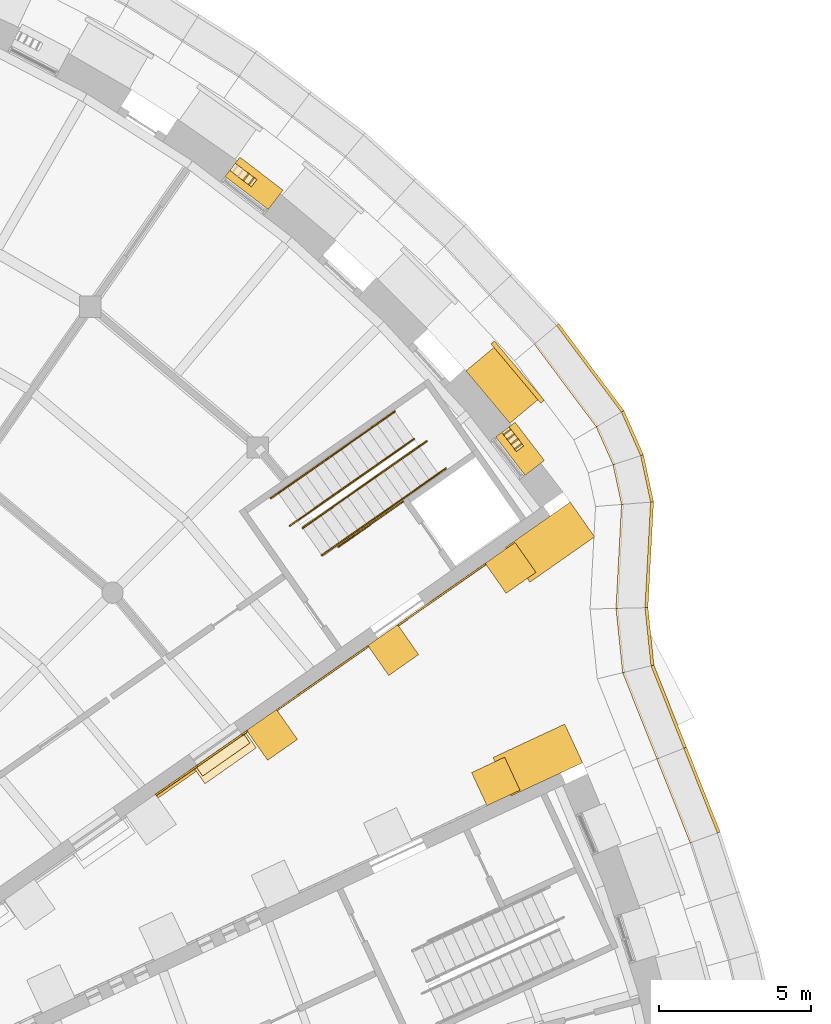
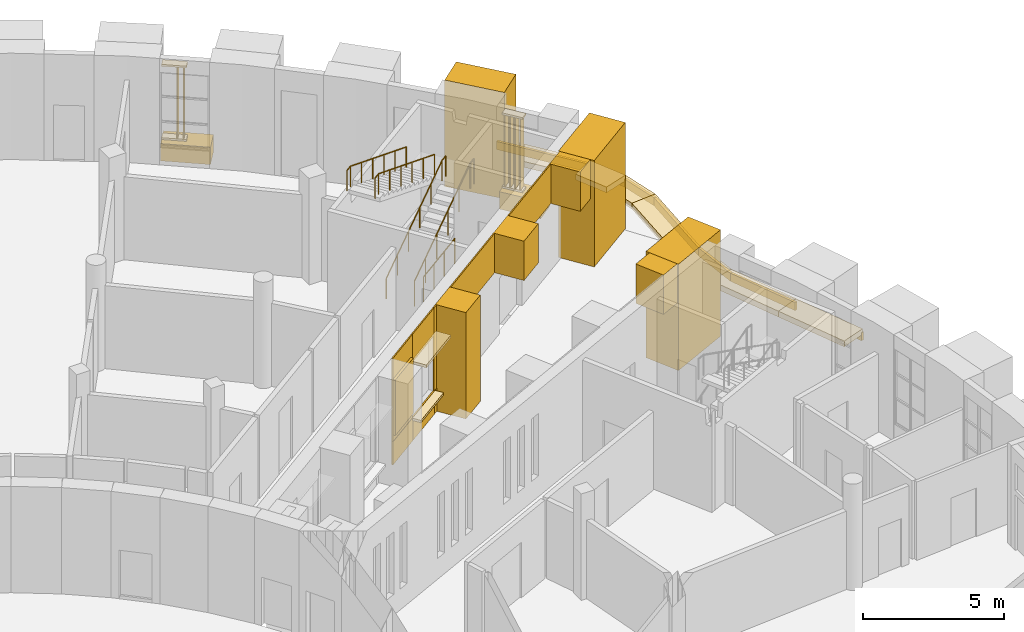
# One storey, part 82 of 85: 45 coverings, 5 railings.
"""IFC4 building model written with IfcOpenShell, lengths in metres."""

from ifc_helpers import new_model, si_unit, direction, frame, origin, origin_2d, place, context, subcontext, project, spatial, polyline, rectangle, circle, outline, extrude, material, layer, layer_set, type_object, element, save


model = new_model("IFC4")

# Units and contexts
model_context = context("Model", 3, precision=1e-05, world=origin(), true_north=direction((0.0, 1.0)))
body_context = subcontext(model_context, "Body", "Model", "MODEL_VIEW")
ifc_project = project(units=[si_unit("LENGTHUNIT", "METRE"), si_unit("AREAUNIT", "SQUARE_METRE"), si_unit("VOLUMEUNIT", "CUBIC_METRE"), si_unit("PLANEANGLEUNIT", "RADIAN"), si_unit("MASSUNIT", "GRAM", prefix="KILO")], contexts=[model_context])

# Site, building, storey
site_placement = place(None, origin())
site = spatial("IfcSite", under=ifc_project, at=site_placement, CompositionType="ELEMENT")
building_placement = place(site_placement, origin())
building = spatial("IfcBuilding", under=site, at=building_placement, Name="Volute Hill Aquarium", CompositionType="ELEMENT")
storey_placement = place(building_placement, origin())
storey = spatial("IfcBuildingStorey", under=building, at=storey_placement, Name="L01", CompositionType="ELEMENT", Elevation=0.0)

# Coverings
ifc_material_1 = material(Name="Blue limestone", Category="masonry")
covering_type_1 = type_object("IfcCoveringType", Name="Bluestone plinth block 275x750", PredefinedType="CLADDING", material=ifc_material_1)
covering_1_placement = place(storey_placement, frame((37.825439453125, 29.150634765625, 0.0), z_axis=(0.0, 0.0, 1.0), x_axis=(-0.608752522404, 0.79336017449, 0.0)))
element("IfcCovering", 1, at=covering_1_placement, inside=storey, type_object=covering_type_1, Name="Bluestone plinth BPN S5 L01 1", PredefinedType="CLADDING", context=body_context, shape_type="SweptSolid", body=[
    extrude(rectangle(XDim=1.58544921875, YDim=0.800048828125, at=origin_2d()), origin(), (0.0, 0.0, 1.0), 0.75),
])
covering_2_placement = place(storey_placement, frame((29.0712890625, 37.88623046875, 0.0), z_axis=(0.0, 0.0, 1.0), x_axis=(-0.79336017449, 0.608752522404, 0.0)))
element("IfcCovering", 2, at=covering_2_placement, inside=storey, type_object=covering_type_1, Name="Bluestone plinth BPN S5 L01 4", PredefinedType="CLADDING", context=body_context, shape_type="SweptSolid", body=[
    extrude(rectangle(XDim=1.78564453125, YDim=0.800048828125, at=origin_2d()), origin(), (0.0, 0.0, 1.0), 0.75),
])
ifc_material_2 = material(Name="Blue limestone", Category="masonry")
ifc_layer_1 = layer(ifc_material_2, 0.14990234375)
ifc_layer_set_1 = layer_set([ifc_layer_1], Name="Bluestone plinth plate 150x750")
covering_type_2 = type_object("IfcCoveringType", Name="Bluestone plinth plate 150x750", PredefinedType="CLADDING", material=ifc_layer_set_1)
covering_3_placement = place(storey_placement, frame((37.745361328125, 31.672119140625, 0.0), z_axis=(0.0, 0.0, 1.0), x_axis=(-0.642787609687, 0.766044443119, 0.0)))
element("IfcCovering", 3, at=covering_3_placement, inside=storey, type_object=covering_type_2, Name="Bluestone plinth BP S5 L01 1", PredefinedType="CLADDING", context=body_context, shape_type="SweptSolid", body=[
    extrude(rectangle(XDim=2.548583984375, YDim=0.14990234375, at=origin_2d()), origin(), (0.0, 0.0, 1.0), 0.75),
])
ifc_material_3 = material(Name="Aluminium", Category="aluminium")
ifc_layer_2 = layer(ifc_material_3, 0.10009765625)
ifc_layer_set_2 = layer_set([ifc_layer_2], Name="End wall plant louvre panel 100")
covering_type_3 = type_object("IfcCoveringType", Name="End wall plant louvre panel 100", PredefinedType="CLADDING", material=ifc_layer_set_2)
covering_4_placement = place(storey_placement, frame((26.503662109375, 18.130859375, 1.300048828125), z_axis=(0.0, 0.0, 1.0), x_axis=(0.819152037682, 0.573576445787, 0.0)))
element("IfcCovering", 4, at=covering_4_placement, inside=storey, type_object=covering_type_3, Name="End wall plant louvre EWV S5A L01 3", PredefinedType="CLADDING", context=body_context, shape_type="SweptSolid", body=[
    extrude(rectangle(XDim=1.51611328125, YDim=0.10009765625, at=origin_2d()), origin(), (0.0, 0.0, 1.0), 2.39990234375),
])
ifc_material_4 = material(Name="Blue limestone", Category="masonry")
ifc_layer_3 = layer(ifc_material_4, 0.06005859375)
ifc_layer_set_3 = layer_set([ifc_layer_3], Name="End wall plinth blue limestone 60")
covering_type_4 = type_object("IfcCoveringType", Name="End wall plinth blue limestone 60", PredefinedType="CLADDING", material=ifc_layer_set_3)
covering_5_placement = place(storey_placement, frame((25.859619140625, 17.728759765625, 0.0), z_axis=(0.573491845309, -0.819211269066, 0.0), x_axis=(0.819211269066, 0.573491845309, 0.0)))
element("IfcCovering", 5, at=covering_5_placement, inside=storey, type_object=covering_type_4, Name="End wall plinth EWL S5A L01 3", PredefinedType="CLADDING", context=body_context, shape_type="SweptSolid", body=[
    extrude(outline(polyline([(0.0, 0.0), (1.6662249238001023, 0.0), (1.6662249238001023, 1.0), (0.0, 1.0), (0.0, 0.0)])), origin(), (0.0, 0.0, -1.0), 0.06005859375),
])
covering_6_placement = place(storey_placement, frame((27.224609375, 18.684326171875, 0.0), z_axis=(0.573617089972, -0.819123576813, 0.0), x_axis=(0.819123576813, 0.573617089972, 0.0)))
element("IfcCovering", 6, at=covering_6_placement, inside=storey, type_object=covering_type_4, Name="End wall plinth EWL S5A L01 3", PredefinedType="CLADDING", context=body_context, shape_type="SweptSolid", body=[
    extrude(outline(polyline([(0.0, 0.0), (1.799930164518913, 0.0), (1.799930164518913, 1.0), (0.0, 1.0), (0.0, 0.0)])), origin(), (0.0, 0.0, -1.0), 0.06005859375),
])
covering_7_placement = place(storey_placement, frame((28.698974609375, 19.716796875, 0.0), z_axis=(0.573708088123, -0.819059844958, 0.0), x_axis=(0.819059844958, 0.573708088123, 0.0)))
element("IfcCovering", 7, at=covering_7_placement, inside=storey, type_object=covering_type_4, Name="End wall plinth EWL S5A L01 3", PredefinedType="CLADDING", context=body_context, shape_type="SweptSolid", body=[
    extrude(outline(polyline([(0.0, 0.0), (0.20000780209581936, 0.0), (0.20000780209581936, 1.0), (0.0, 1.0), (0.0, 0.0)])), origin(), (0.0, 0.0, -1.0), 0.06005859375),
])
ifc_material_5 = material(Name="Precast concrete C40/50", Category="concrete")
covering_type_5 = type_object("IfcCoveringType", Name="End wall precast fin C40/50 1200x1200", PredefinedType="CLADDING", material=ifc_material_5)
covering_8_placement = place(storey_placement, frame((37.02587890625, 18.203369140625, 2.89990234375), z_axis=(0.0, 0.0, 1.0), x_axis=(0.906306960471, 0.422620034311, 0.0)))
element("IfcCovering", 8, at=covering_8_placement, inside=storey, type_object=covering_type_5, Name="End wall fin EWF S4B L01 6", PredefinedType="CLADDING", context=body_context, shape_type="SweptSolid", body=[
    extrude(rectangle(XDim=1.199951171875, YDim=1.199951171875, at=origin_2d()), origin(), (0.0, 0.0, 1.0), 1.699951171875),
])
covering_9_placement = place(storey_placement, frame((29.6640625, 19.7333984375, 0.0), z_axis=(0.0, 0.0, 1.0), x_axis=(0.819152037682, 0.573576445787, 0.0)))
element("IfcCovering", 9, at=covering_9_placement, inside=storey, type_object=covering_type_5, Name="End wall fin EWF S5A L01 4", PredefinedType="CLADDING", context=body_context, shape_type="SweptSolid", body=[
    extrude(rectangle(XDim=1.199951171875, YDim=1.199951171875, at=origin_2d()), origin(), (0.0, 0.0, 1.0), 4.60009765625),
])
for number, where, z_axis, x_axis, name in (
    (10, (33.650146484375, 22.5244140625, 2.89990234375), (0.0, 0.0, 1.0), (0.819152037682, 0.573576445787, 0.0), "End wall fin EWF S5A L01 5"),
    (11, (37.51318359375, 25.229248046875, 2.89990234375), (0.0, 0.0, 1.0), (0.819152037682, 0.573576445787, 0.0), "End wall fin EWF S5A L01 6"),
):
    element("IfcCovering", number, at=place(storey_placement, frame(where, z_axis=z_axis, x_axis=x_axis)), inside=storey, type_object=covering_type_5, Name=name, PredefinedType="CLADDING", context=body_context, shape_type="SweptSolid", body=[
        extrude(rectangle(XDim=1.199951171875, YDim=1.199951171875, at=origin_2d()), origin(), (0.0, 0.0, 1.0), 1.699951171875),
    ])
ifc_material_6 = material(Name="Precast concrete C40/50", Category="concrete")
ifc_layer_4 = layer(ifc_material_6, 0.050048828125)
ifc_layer_set_4 = layer_set([ifc_layer_4], Name="End wall precast infill panel C40/50 50")
covering_type_6 = type_object("IfcCoveringType", Name="End wall precast infill panel C40/50 50", PredefinedType="CLADDING", material=ifc_layer_set_4)
covering_10_placement = place(storey_placement, frame((25.854248046875, 17.737060546875, 1.0), z_axis=(0.573560689761, -0.819163069945, 0.0), x_axis=(0.819163069945, 0.573560689761, 0.0)))
element("IfcCovering", 12, at=covering_10_placement, inside=storey, type_object=covering_type_6, Name="End wall panel EWP S5A L01 3", PredefinedType="CLADDING", context=body_context, shape_type="SweptSolid", body=[
    extrude(outline(polyline([(0.0, 0.0), (1.6660249269321943, 0.0), (1.6660249269321943, 3.6000976562499996), (0.0, 3.6000976562499996), (0.0, 0.0)])), origin(), (0.0, 0.0, -1.0), 0.050048828125),
])
covering_11_placement = place(storey_placement, frame((27.218994140625, 18.692626953125, 3.39990234375), z_axis=(0.573553363558, -0.819168199548, 0.0), x_axis=(0.819168199548, 0.573553363558, 0.0)))
element("IfcCovering", 13, at=covering_11_placement, inside=storey, type_object=covering_type_6, Name="End wall panel EWP S5A L01 3", PredefinedType="CLADDING", context=body_context, shape_type="SweptSolid", body=[
    extrude(outline(polyline([(0.0, 0.0), (1.800130151308322, 0.0), (1.800130151308322, 1.2001953125), (0.0, 1.2001953125), (0.0, 0.0)])), origin(), (0.0, 0.0, -1.0), 0.050048828125),
])
covering_12_placement = place(storey_placement, frame((28.693603515625, 19.72509765625, 1.0), z_axis=(0.573462344363, -0.819231920519, 0.0), x_axis=(0.819231920519, 0.573462344363, 0.0)))
element("IfcCovering", 14, at=covering_12_placement, inside=storey, type_object=covering_type_6, Name="End wall panel EWP S5A L01 3", PredefinedType="CLADDING", context=body_context, shape_type="SweptSolid", body=[
    extrude(outline(polyline([(0.0, 0.0), (0.19966777984720657, 0.0), (0.19966777984720657, 3.60009765625), (0.0, 3.60009765625), (0.0, 0.0)])), origin(), (0.0, 0.0, -1.0), 0.050048828125),
])
covering_13_placement = place(storey_placement, frame((29.840087890625, 20.528076171875, 2.89990234375), z_axis=(0.573520446377, -0.819191246039, 0.0), x_axis=(0.819191246039, 0.573520446377, 0.0)))
element("IfcCovering", 15, at=covering_13_placement, inside=storey, type_object=covering_type_6, Name="End wall panel EWP S5A L01 4", PredefinedType="CLADDING", context=body_context, shape_type="SweptSolid", body=[
    extrude(outline(polyline([(0.0, 0.0), (3.6660228519846063, 0.0), (3.6660228519846063, 1.7001953125), (0.0, 1.7001953125), (0.0, 0.0)])), origin(), (0.0, 0.0, -1.0), 0.050048828125),
])
covering_14_placement = place(storey_placement, frame((33.826171875, 23.319091796875, 2.89990234375), z_axis=(0.573560206306, -0.819163408449, 0.0), x_axis=(0.819163408449, 0.573560206306, 0.0)))
element("IfcCovering", 16, at=covering_14_placement, inside=storey, type_object=covering_type_6, Name="End wall panel EWP S5A L01 5", PredefinedType="CLADDING", context=body_context, shape_type="SweptSolid", body=[
    extrude(outline(polyline([(0.0, 0.0), (3.5159370199129762, 0.0), (3.5159370199129762, 1.7001953125), (0.0, 1.7001953125), (0.0, 0.0)])), origin(), (0.0, 0.0, -1.0), 0.050048828125),
])
ifc_material_7 = material(Name="Precast concrete C40/50", Category="concrete")
ifc_layer_5 = layer(ifc_material_7, 0.1201171875)
ifc_layer_set_5 = layer_set([ifc_layer_5], Name="End wall window head blade precast C40/50 600x120")
covering_type_7 = type_object("IfcCoveringType", Name="End wall window head blade precast C40/50 600x120", PredefinedType="CLADDING", material=ifc_layer_set_5)
covering_15_placement = place(storey_placement, frame((28.128173828125, 18.963134765625, 3.39990234375), z_axis=(0.0, 0.0, 1.0), x_axis=(0.819152037682, 0.573576445787, 0.0)))
element("IfcCovering", 17, at=covering_15_placement, inside=storey, type_object=covering_type_7, Name="End wall window head blade EWB S5A L01 3.1", PredefinedType="CLADDING", context=body_context, shape_type="SweptSolid", body=[
    extrude(rectangle(XDim=2.06005859375, YDim=0.60009765625, at=origin_2d()), origin(), (0.0, 0.0, 1.0), 0.1201171875),
])
ifc_material_8 = material(Name="Precast concrete C40/50", Category="concrete")
ifc_layer_6 = layer(ifc_material_8, 0.10009765625)
ifc_layer_set_6 = layer_set([ifc_layer_6], Name="End wall window sill precast C40/50 350x100")
covering_type_8 = type_object("IfcCoveringType", Name="End wall window sill precast C40/50 350x100", PredefinedType="CLADDING", material=ifc_layer_set_6)
covering_16_placement = place(storey_placement, frame((28.056640625, 19.0654296875, 0.89990234375), z_axis=(0.0, 0.0, 1.0), x_axis=(0.819152037682, 0.573576445787, 0.0)))
element("IfcCovering", 18, at=covering_16_placement, inside=storey, type_object=covering_type_8, Name="End wall window sill EWS S5A L01 3.1", PredefinedType="CLADDING", context=body_context, shape_type="SweptSolid", body=[
    extrude(rectangle(XDim=1.89990234375, YDim=0.35009765625, at=origin_2d()), origin(), (0.0, 0.0, 1.0), 0.10009765625),
])

# Railings
ifc_material_9 = material(Name="Stainless steel 1.4301", Category="steel")
railing_type_1 = type_object("IfcRailingType", Name="Guard 1100 stainless", PredefinedType="GUARDRAIL", material=ifc_material_9)
railing_1_placement = place(storey_placement, frame((33.970458984375, 27.412109375, 0.0)))
element("IfcRailing", 19, at=railing_1_placement, inside=storey, type_object=railing_type_1, Name="gd/S5-A/L01/edge", PredefinedType="GUARDRAIL", context=body_context, shape_type="SweptSolid", body=[
    extrude(circle(Radius=0.02392578125, at=origin_2d()), frame((0.0, 0.0, 1.076171875), z_axis=(-0.819148089014, -0.573582085028, 0.0), x_axis=(0.573582085028, -0.819148089014, 0.0)), (0.0, 0.0, 1.0), 2.599853515625),
    extrude(circle(Radius=0.02099609375, at=origin_2d()), origin(), (0.0, 0.0, 1.0), 1.052001953125),
    extrude(circle(Radius=0.02099609375, at=origin_2d()), frame((-0.7099609375, -0.4970703125, 0.0)), (0.0, 0.0, 1.0), 1.052001953125),
    extrude(circle(Radius=0.02099609375, at=origin_2d()), frame((-1.419677734375, -0.994140625, 0.0)), (0.0, 0.0, 1.0), 1.052001953125),
    extrude(circle(Radius=0.02099609375, at=origin_2d()), frame((-2.129638671875, -1.4912109375, 0.0)), (0.0, 0.0, 1.0), 1.052001953125),
])
railing_2_placement = place(storey_placement, frame((31.303466796875, 25.64208984375, 0.164306640625)))
element("IfcRailing", 20, at=railing_2_placement, inside=storey, type_object=railing_type_1, Name="gd/S5-A/L01/1", PredefinedType="GUARDRAIL", context=body_context, shape_type="SweptSolid", body=[
    extrude(circle(Radius=0.02392578125, at=origin_2d()), frame((0.0, 0.0, 1.076171875), z_axis=(0.745190384026, 0.521851577044, 0.415165296106), x_axis=(-0.573623384376, 0.819119168923, 0.0)), (0.0, 0.0, 1.0), 5.144287109375),
    extrude(circle(Radius=0.02392578125, at=origin_2d()), frame((3.83349609375, 2.6845703125, 3.2119140625), z_axis=(0.819575896246, 0.572970636502, 0.0), x_axis=(-0.572970636502, 0.819575896246, 0.0)), (0.0, 0.0, 1.0), 0.300048828125),
    extrude(circle(Radius=0.02099609375, at=origin_2d()), origin(), (0.0, 0.0, 1.0), 1.052001953125),
    extrude(circle(Radius=0.02099609375, at=origin_2d()), frame((0.7666015625, 0.536865234375, 0.42724609375)), (0.0, 0.0, 1.0), 1.052001953125),
    extrude(circle(Radius=0.02099609375, at=origin_2d()), frame((1.533447265625, 1.07373046875, 0.854248046875)), (0.0, 0.0, 1.0), 1.052001953125),
    extrude(circle(Radius=0.02099609375, at=origin_2d()), frame((2.300048828125, 1.61083984375, 1.281494140625)), (0.0, 0.0, 1.0), 1.052001953125),
    extrude(circle(Radius=0.02099609375, at=origin_2d()), frame((3.06689453125, 2.147705078125, 1.70849609375)), (0.0, 0.0, 1.0), 1.052001953125),
    extrude(circle(Radius=0.02099609375, at=origin_2d()), frame((3.83349609375, 2.6845703125, 2.1357421875)), (0.0, 0.0, 1.0), 1.052001953125),
    extrude(circle(Radius=0.02099609375, at=origin_2d()), frame((4.079345703125, 2.8564453125, 2.1357421875)), (0.0, 0.0, 1.0), 1.052001953125),
])
ifc_material_10 = material(Name="Stainless steel 1.4301", Category="steel")
railing_type_2 = type_object("IfcRailingType", Name="Handrail 48 stainless", PredefinedType="HANDRAIL", material=ifc_material_10)
railing_3_placement = place(storey_placement, frame((30.67236328125, 26.543212890625, 0.164306640625)))
element("IfcRailing", 21, at=railing_3_placement, inside=storey, type_object=railing_type_2, Name="hr/S5-A/L01/2", PredefinedType="HANDRAIL", context=body_context, shape_type="SweptSolid", body=[
    extrude(circle(Radius=0.02392578125, at=origin_2d()), frame((0.0, 0.0, 0.8759765625), z_axis=(0.745229941797, 0.521798586898, 0.415160894787), x_axis=(-0.57356387087, 0.81916084259, 0.0)), (0.0, 0.0, 1.0), 5.144287109375),
    extrude(circle(Radius=0.02392578125, at=origin_2d()), frame((3.833740234375, 2.684326171875, 3.01171875), z_axis=(0.818925855405, 0.573899332068, 0.0), x_axis=(-0.573899332068, 0.818925855405, 0.0)), (0.0, 0.0, 1.0), 0.2998046875),
    extrude(circle(Radius=0.02099609375, at=origin_2d()), origin(), (0.0, 0.0, 1.0), 0.851806640625),
    extrude(circle(Radius=0.02099609375, at=origin_2d()), frame((0.766845703125, 0.536865234375, 0.42724609375)), (0.0, 0.0, 1.0), 0.851806640625),
    extrude(circle(Radius=0.02099609375, at=origin_2d()), frame((1.533447265625, 1.07373046875, 0.854248046875)), (0.0, 0.0, 1.0), 0.851806640625),
    extrude(circle(Radius=0.02099609375, at=origin_2d()), frame((2.30029296875, 1.610595703125, 1.281494140625)), (0.0, 0.0, 1.0), 0.851806640625),
    extrude(circle(Radius=0.02099609375, at=origin_2d()), frame((3.06689453125, 2.1474609375, 1.70849609375)), (0.0, 0.0, 1.0), 0.851806640625),
    extrude(circle(Radius=0.02099609375, at=origin_2d()), frame((3.833740234375, 2.684326171875, 2.1357421875)), (0.0, 0.0, 1.0), 0.851806640625),
    extrude(circle(Radius=0.02099609375, at=origin_2d()), frame((4.079345703125, 2.8564453125, 2.1357421875)), (0.0, 0.0, 1.0), 0.851806640625),
])
railing_4_placement = place(storey_placement, frame((34.333984375, 29.473388671875, 2.46435546875)))
element("IfcRailing", 22, at=railing_4_placement, inside=storey, type_object=railing_type_2, Name="hr/S5-A/L01/3", PredefinedType="HANDRAIL", context=body_context, shape_type="SweptSolid", body=[
    extrude(circle(Radius=0.02392578125, at=origin_2d()), frame((0.0, 0.0, 0.8759765625), z_axis=(-0.745208839402, -0.521817041729, 0.415175578085), x_axis=(0.573588381334, -0.819143680192, 0.0)), (0.0, 0.0, 1.0), 5.144287109375),
    extrude(circle(Radius=0.02392578125, at=origin_2d()), frame((-3.83349609375, -2.684326171875, 3.01171875), z_axis=(-0.819193700616, -0.573516940352, 0.0), x_axis=(0.573516940352, -0.819193700616, 0.0)), (0.0, 0.0, 1.0), 0.300048828125),
    extrude(circle(Radius=0.02099609375, at=origin_2d()), origin(), (0.0, 0.0, 1.0), 0.851806640625),
    extrude(circle(Radius=0.02099609375, at=origin_2d()), frame((-0.7666015625, -0.536865234375, 0.42724609375)), (0.0, 0.0, 1.0), 0.851806640625),
    extrude(circle(Radius=0.02099609375, at=origin_2d()), frame((-1.533447265625, -1.07373046875, 0.854248046875)), (0.0, 0.0, 1.0), 0.851806640625),
    extrude(circle(Radius=0.02099609375, at=origin_2d()), frame((-2.300048828125, -1.610595703125, 1.281494140625)), (0.0, 0.0, 1.0), 0.851806640625),
    extrude(circle(Radius=0.02099609375, at=origin_2d()), frame((-3.06689453125, -2.1474609375, 1.70849609375)), (0.0, 0.0, 1.0), 0.851806640625),
    extrude(circle(Radius=0.02099609375, at=origin_2d()), frame((-3.83349609375, -2.684326171875, 2.1357421875)), (0.0, 0.0, 1.0), 0.851806640625),
    extrude(circle(Radius=0.02099609375, at=origin_2d()), frame((-4.079345703125, -2.8564453125, 2.1357421875)), (0.0, 0.0, 1.0), 0.851806640625),
])
railing_5_placement = place(storey_placement, frame((33.703125, 30.37451171875, 2.46435546875)))
element("IfcRailing", 23, at=railing_5_placement, inside=storey, type_object=railing_type_2, Name="hr/S5-A/L01/4", PredefinedType="HANDRAIL", context=body_context, shape_type="SweptSolid", body=[
    extrude(circle(Radius=0.02392578125, at=origin_2d()), frame((0.0, 0.0, 0.8759765625), z_axis=(-0.745229941797, -0.521798586898, 0.415160894787), x_axis=(0.57356387087, -0.81916084259, 0.0)), (0.0, 0.0, 1.0), 5.144287109375),
    extrude(circle(Radius=0.02392578125, at=origin_2d()), frame((-3.833740234375, -2.684326171875, 3.01171875), z_axis=(-0.818925855405, -0.573899332068, 0.0), x_axis=(0.573899332068, -0.818925855405, 0.0)), (0.0, 0.0, 1.0), 0.2998046875),
    extrude(circle(Radius=0.02099609375, at=origin_2d()), origin(), (0.0, 0.0, 1.0), 0.851806640625),
    extrude(circle(Radius=0.02099609375, at=origin_2d()), frame((-0.766845703125, -0.536865234375, 0.42724609375)), (0.0, 0.0, 1.0), 0.851806640625),
    extrude(circle(Radius=0.02099609375, at=origin_2d()), frame((-1.533447265625, -1.07373046875, 0.854248046875)), (0.0, 0.0, 1.0), 0.851806640625),
    extrude(circle(Radius=0.02099609375, at=origin_2d()), frame((-2.30029296875, -1.610595703125, 1.281494140625)), (0.0, 0.0, 1.0), 0.851806640625),
    extrude(circle(Radius=0.02099609375, at=origin_2d()), frame((-3.06689453125, -2.1474609375, 1.70849609375)), (0.0, 0.0, 1.0), 0.851806640625),
    extrude(circle(Radius=0.02099609375, at=origin_2d()), frame((-3.833740234375, -2.684326171875, 2.1357421875)), (0.0, 0.0, 1.0), 0.851806640625),
    extrude(circle(Radius=0.02099609375, at=origin_2d()), frame((-4.079345703125, -2.8564453125, 2.1357421875)), (0.0, 0.0, 1.0), 0.851806640625),
])

# Coverings
ifc_material_11 = material(Name="Aluminium", Category="aluminium")
covering_type_9 = type_object("IfcCoveringType", Name="Plant louvre slat 40x300", PredefinedType="CLADDING", material=ifc_material_11)
for number, where, z_axis, x_axis, name in (
    (24, (37.76513671875, 29.229248046875, 0.830078125), (0.0, 0.0, 1.0), (-0.608752522404, 0.79336017449, 0.0), "Plant louvre slat S5 L01 1.1.1"),
    (25, (37.64453125, 29.386474609375, 0.830078125), (0.0, 0.0, 1.0), (-0.608752522404, 0.79336017449, 0.0), "Plant louvre slat S5 L01 1.1.2"),
    (26, (37.523681640625, 29.543701171875, 0.830078125), (0.0, 0.0, 1.0), (-0.608752522404, 0.79336017449, 0.0), "Plant louvre slat S5 L01 1.1.3"),
    (27, (37.403076171875, 29.700927734375, 0.830078125), (0.0, 0.0, 1.0), (-0.608752522404, 0.79336017449, 0.0), "Plant louvre slat S5 L01 1.1.4"),
    (28, (28.982666015625, 37.954345703125, 0.830078125), (0.0, 0.0, 1.0), (-0.79336017449, 0.608752522404, 0.0), "Plant louvre slat S5 L01 4.1.1"),
    (29, (28.8056640625, 38.090087890625, 0.830078125), (0.0, 0.0, 1.0), (-0.79336017449, 0.608752522404, 0.0), "Plant louvre slat S5 L01 4.1.2"),
):
    element("IfcCovering", number, at=place(storey_placement, frame(where, z_axis=z_axis, x_axis=x_axis)), inside=storey, type_object=covering_type_9, Name=name, PredefinedType="CLADDING", context=body_context, shape_type="SweptSolid", body=[
        extrude(rectangle(XDim=0.0400390625, YDim=0.300048828125, at=origin_2d()), origin(), (0.0, 0.0, 1.0), 3.090087890625),
    ])
ifc_material_12 = material(Name="Aluminium", Category="aluminium")
covering_type_10 = type_object("IfcCoveringType", Name="Plant louvre slat rail 300x80", PredefinedType="CLADDING", material=ifc_material_12)
for number, where, z_axis, x_axis, name in (
    (30, (37.583984375, 29.465087890625, 0.75), (0.0, 0.0, 1.0), (-0.608752522404, 0.79336017449, 0.0), "Plant louvre slat rail S5 L01 1.1"),
    (31, (37.583984375, 29.465087890625, 3.919921875), (0.0, 0.0, 1.0), (-0.608752522404, 0.79336017449, 0.0), "Plant louvre slat rail S5 L01 1.2"),
):
    element("IfcCovering", number, at=place(storey_placement, frame(where, z_axis=z_axis, x_axis=x_axis)), inside=storey, type_object=covering_type_10, Name=name, PredefinedType="CLADDING", context=body_context, shape_type="SweptSolid", body=[
        extrude(rectangle(XDim=0.792724609375, YDim=0.300048828125, at=origin_2d()), origin(), (0.0, 0.0, 1.0), 0.080078125),
    ])
for number, where, z_axis, x_axis, name in (
    (32, (28.717041015625, 38.157958984375, 0.75), (0.0, 0.0, 1.0), (-0.79336017449, 0.608752522404, 0.0), "Plant louvre slat rail S5 L01 4.1"),
    (33, (28.717041015625, 38.157958984375, 3.919921875), (0.0, 0.0, 1.0), (-0.79336017449, 0.608752522404, 0.0), "Plant louvre slat rail S5 L01 4.2"),
):
    element("IfcCovering", number, at=place(storey_placement, frame(where, z_axis=z_axis, x_axis=x_axis)), inside=storey, type_object=covering_type_10, Name=name, PredefinedType="CLADDING", context=body_context, shape_type="SweptSolid", body=[
        extrude(rectangle(XDim=0.892822265625, YDim=0.300048828125, at=origin_2d()), origin(), (0.0, 0.0, 1.0), 0.080078125),
    ])
ifc_material_13 = material(Name="Precast concrete C40/50", Category="concrete")
ifc_layer_7 = layer(ifc_material_13, 0.25)
ifc_layer_set_7 = layer_set([ifc_layer_7], Name="Plinth coping precast concrete C40/50 1000")
covering_type_11 = type_object("IfcCoveringType", Name="Plinth coping precast concrete C40/50 1000", PredefinedType="CLADDING", material=ifc_layer_set_7)
covering_17_placement = place(storey_placement, frame((0.0, 0.0, -0.10009765625)))
element("IfcCovering", 34, at=covering_17_placement, inside=storey, type_object=covering_type_11, Name="cp/E53UP/L01/0", PredefinedType="CLADDING", context=body_context, shape_type="SweptSolid", body=[
    extrude(outline(polyline([(44.363525390625, 16.519287109375), (43.256103515625, 19.3095703125), (42.32666015625, 18.940673828125), (43.421875, 16.1806640625), (43.421875, 16.1806640625), (44.363525390625, 16.519287109375)])), origin(), (0.0, 0.0, 1.0), 0.25),
])
covering_18_placement = place(storey_placement, frame((0.0, 0.0, -0.10009765625)))
element("IfcCovering", 35, at=covering_18_placement, inside=storey, type_object=covering_type_11, Name="cp/E53UP/L01/1", PredefinedType="CLADDING", context=body_context, shape_type="SweptSolid", body=[
    extrude(outline(polyline([(42.18017578125, 22.020751953125), (42.18017578125, 22.020751953125), (41.19970703125, 21.780517578125), (41.19970703125, 21.780517578125), (42.32666015625, 18.940673828125), (43.256103515625, 19.3095703125), (42.18017578125, 22.020751953125)])), origin(), (0.0, 0.0, 1.0), 0.25),
])
covering_19_placement = place(storey_placement, frame((0.0, 0.0, -0.10009765625)))
element("IfcCovering", 36, at=covering_19_placement, inside=storey, type_object=covering_type_11, Name="cp/E54UP/L01/0", PredefinedType="CLADDING", context=body_context, shape_type="SweptSolid", body=[
    extrude(outline(polyline([(42.18017578125, 22.020751953125), (41.984130859375, 23.9208984375), (40.9814453125, 23.89599609375), (41.19970703125, 21.780517578125), (42.18017578125, 22.020751953125)])), origin(), (0.0, 0.0, 1.0), 0.25),
])
covering_20_placement = place(storey_placement, frame((0.0, 0.0, -0.10009765625)))
element("IfcCovering", 37, at=covering_20_placement, inside=storey, type_object=covering_type_11, Name="cp/E55UP/L01/0", PredefinedType="CLADDING", context=body_context, shape_type="SweptSolid", body=[
    extrude(outline(polyline([(42.169189453125, 27.397216796875), (42.169189453125, 27.397216796875), (41.16357421875, 27.3173828125), (41.16357421875, 27.3173828125), (40.9814453125, 23.89599609375), (40.9814453125, 23.89599609375), (41.984130859375, 23.9208984375), (41.984130859375, 23.9208984375), (42.169189453125, 27.397216796875)])), origin(), (0.0, 0.0, 1.0), 0.25),
])
covering_21_placement = place(storey_placement, frame((0.0, 0.0, -0.10009765625)))
element("IfcCovering", 38, at=covering_21_placement, inside=storey, type_object=covering_type_11, Name="cp/E56UP/L01/0", PredefinedType="CLADDING", context=body_context, shape_type="SweptSolid", body=[
    extrude(outline(polyline([(42.169189453125, 27.397216796875), (41.838623046875, 28.935546875), (40.882568359375, 28.625244140625), (41.16357421875, 27.3173828125), (42.169189453125, 27.397216796875)])), origin(), (0.0, 0.0, 1.0), 0.25),
])
covering_22_placement = place(storey_placement, frame((0.0, 0.0, -0.10009765625)))
element("IfcCovering", 39, at=covering_22_placement, inside=storey, type_object=covering_type_11, Name="cp/E57UP/L01/0", PredefinedType="CLADDING", context=body_context, shape_type="SweptSolid", body=[
    extrude(outline(polyline([(41.20068359375, 30.379150390625), (41.20068359375, 30.379150390625), (40.33203125, 29.87109375), (40.33203125, 29.87109375), (40.882568359375, 28.625244140625), (40.882568359375, 28.625244140625), (41.838623046875, 28.935546875), (41.838623046875, 28.935546875), (41.20068359375, 30.379150390625)])), origin(), (0.0, 0.0, 1.0), 0.25),
])
covering_23_placement = place(storey_placement, frame((0.0, 0.0, -0.10009765625)))
element("IfcCovering", 40, at=covering_23_placement, inside=storey, type_object=covering_type_11, Name="cp/E58UP/L01/0", PredefinedType="CLADDING", context=body_context, shape_type="SweptSolid", body=[
    extrude(outline(polyline([(41.20068359375, 30.379150390625), (39.06396484375, 33.23486328125), (38.295166015625, 32.59326171875), (40.33203125, 29.87109375), (41.20068359375, 30.379150390625)])), origin(), (0.0, 0.0, 1.0), 0.25),
])
ifc_material_14 = material(Name="Precast concrete C40/50", Category="concrete")
covering_type_12 = type_object("IfcCoveringType", Name="Projecting pier precast concrete C40/50 2249x1200", PredefinedType="CLADDING", material=ifc_material_14)
covering_24_placement = place(storey_placement, frame((37.228271484375, 31.238037109375, 0.0), z_axis=(0.0, 0.0, 1.0), x_axis=(-0.642787609687, 0.766044443119, 0.0)))
element("IfcCovering", 41, at=covering_24_placement, inside=storey, type_object=covering_type_12, Name="Projecting pier PP S5 L01 1", PredefinedType="CLADDING", context=body_context, shape_type="SweptSolid", body=[
    extrude(rectangle(XDim=2.24853515625, YDim=1.199951171875, at=origin_2d()), origin(), (0.0, 0.0, 1.0), 4.60009765625),
])
ifc_material_15 = material(Name="Precast concrete C40/50", Category="concrete")
ifc_layer_8 = layer(ifc_material_15, 0.10009765625)
ifc_layer_set_8 = layer_set([ifc_layer_8], Name="Retained ground face precast concrete C40/50 100")
covering_type_13 = type_object("IfcCoveringType", Name="Retained ground face precast concrete C40/50 100", PredefinedType="CLADDING", material=ifc_layer_set_8)
covering_25_placement = place(storey_placement, frame((0.0, 0.0, -0.35009765625)))
element("IfcCovering", 42, at=covering_25_placement, inside=storey, type_object=covering_type_13, Name="tg/E53UP/L01/0", PredefinedType="CLADDING", context=body_context, shape_type="SweptSolid", body=[
    extrude(outline(polyline([(44.41064453125, 16.5361328125), (43.302490234375, 19.328125), (43.20947265625, 19.291259765625), (44.31640625, 16.502197265625), (44.31640625, 16.502197265625), (44.41064453125, 16.5361328125), (44.41064453125, 16.5361328125)])), origin(), (0.0, 0.0, 1.0), 0.35009765625),
])
covering_26_placement = place(storey_placement, frame((0.0, 0.0, -0.35009765625)))
element("IfcCovering", 43, at=covering_26_placement, inside=storey, type_object=covering_type_13, Name="tg/E53UP/L01/1", PredefinedType="CLADDING", context=body_context, shape_type="SweptSolid", body=[
    extrude(outline(polyline([(42.229248046875, 22.03271484375), (42.229248046875, 22.03271484375), (42.131103515625, 22.008544921875), (42.131103515625, 22.008544921875), (43.20947265625, 19.291259765625), (43.302490234375, 19.328125), (42.229248046875, 22.03271484375)])), origin(), (0.0, 0.0, 1.0), 0.35009765625),
])
covering_27_placement = place(storey_placement, frame((0.0, 0.0, -0.35009765625)))
element("IfcCovering", 44, at=covering_27_placement, inside=storey, type_object=covering_type_13, Name="tg/E54UP/L01/0", PredefinedType="CLADDING", context=body_context, shape_type="SweptSolid", body=[
    extrude(outline(polyline([(42.229248046875, 22.03271484375), (42.0341796875, 23.922119140625), (41.93408203125, 23.919677734375), (42.131103515625, 22.008544921875), (42.229248046875, 22.03271484375)])), origin(), (0.0, 0.0, 1.0), 0.35009765625),
])
covering_28_placement = place(storey_placement, frame((0.0, 0.0, -0.35009765625)))
element("IfcCovering", 45, at=covering_28_placement, inside=storey, type_object=covering_type_13, Name="tg/E55UP/L01/0", PredefinedType="CLADDING", context=body_context, shape_type="SweptSolid", body=[
    extrude(outline(polyline([(42.0341796875, 23.922119140625), (42.219482421875, 27.401123046875), (42.118896484375, 27.39306640625), (42.118896484375, 27.39306640625), (41.93408203125, 23.919677734375), (41.93408203125, 23.919677734375), (42.0341796875, 23.922119140625), (42.0341796875, 23.922119140625)])), origin(), (0.0, 0.0, 1.0), 0.35009765625),
])
covering_29_placement = place(storey_placement, frame((0.0, 0.0, -0.35009765625)))
element("IfcCovering", 46, at=covering_29_placement, inside=storey, type_object=covering_type_13, Name="tg/E56UP/L01/0", PredefinedType="CLADDING", context=body_context, shape_type="SweptSolid", body=[
    extrude(outline(polyline([(42.219482421875, 27.401123046875), (41.886474609375, 28.950927734375), (41.790771484375, 28.919921875), (42.118896484375, 27.39306640625), (42.219482421875, 27.401123046875), (42.219482421875, 27.401123046875)])), origin(), (0.0, 0.0, 1.0), 0.35009765625),
])
covering_30_placement = place(storey_placement, frame((0.0, 0.0, -0.35009765625)))
element("IfcCovering", 47, at=covering_30_placement, inside=storey, type_object=covering_type_13, Name="tg/E57UP/L01/0", PredefinedType="CLADDING", context=body_context, shape_type="SweptSolid", body=[
    extrude(outline(polyline([(41.886474609375, 28.950927734375), (41.244140625, 30.404541015625), (41.1572265625, 30.353759765625), (41.1572265625, 30.353759765625), (41.790771484375, 28.919921875), (41.790771484375, 28.919921875), (41.886474609375, 28.950927734375), (41.886474609375, 28.950927734375)])), origin(), (0.0, 0.0, 1.0), 0.35009765625),
])
covering_31_placement = place(storey_placement, frame((0.0, 0.0, -0.35009765625)))
element("IfcCovering", 48, at=covering_31_placement, inside=storey, type_object=covering_type_13, Name="tg/E58UP/L01/0", PredefinedType="CLADDING", context=body_context, shape_type="SweptSolid", body=[
    extrude(outline(polyline([(41.244140625, 30.404541015625), (39.1025390625, 33.266845703125), (39.025634765625, 33.20263671875), (41.1572265625, 30.353759765625), (41.244140625, 30.404541015625), (41.244140625, 30.404541015625)])), origin(), (0.0, 0.0, 1.0), 0.35009765625),
])
ifc_material_16 = material(Name="Precast concrete C40/50", Category="concrete")
covering_type_14 = type_object("IfcCoveringType", Name="Step pylon precast concrete C40/50 1400x2600", PredefinedType="CLADDING", material=ifc_material_16)
for number, where, z_axis, x_axis, name in (
    (49, (38.40966796875, 18.90380859375, 0.0), (0.0, 0.0, 1.0), (0.906307787037, 0.422618261741, 0.0), "Step pylon SPY S4B L01"),
    (50, (38.8115234375, 26.077392578125, 0.0), (0.0, 0.0, 1.0), (0.819152044289, 0.573576436351, 0.0), "Step pylon SPY S5A L01"),
):
    element("IfcCovering", number, at=place(storey_placement, frame(where, z_axis=z_axis, x_axis=x_axis)), inside=storey, type_object=covering_type_14, Name=name, PredefinedType="CLADDING", context=body_context, shape_type="SweptSolid", body=[
        extrude(rectangle(XDim=2.60009765625, YDim=1.39990234375, at=origin_2d()), origin(), (0.0, 0.0, 1.0), 4.60009765625),
    ])

save(model, "model.ifc")
